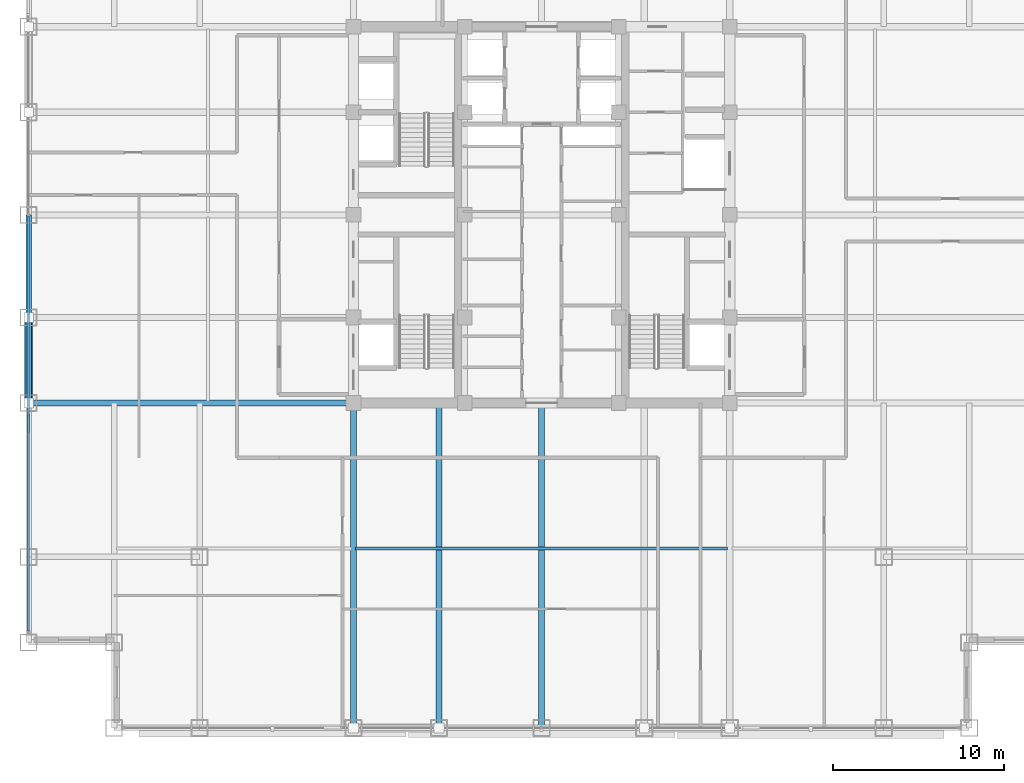
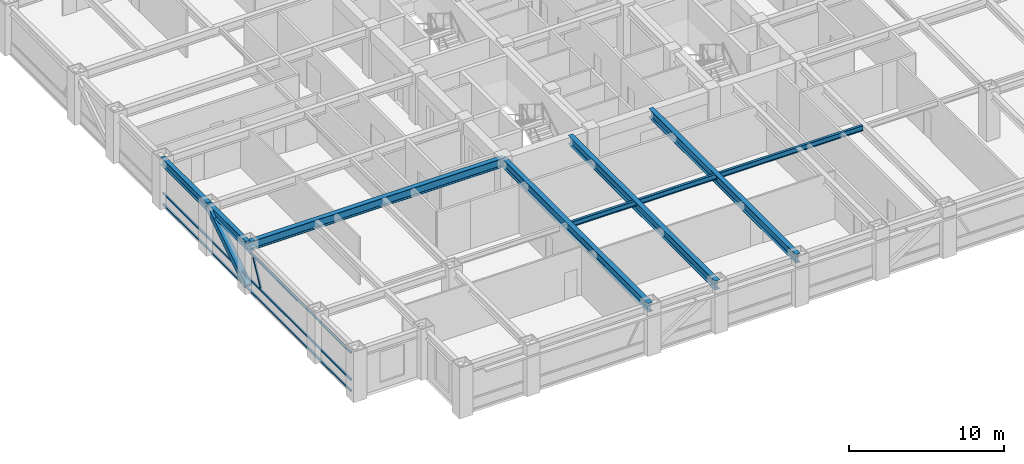
# One storey, part 5 of 29: 7 beams, 5 members, 1 element without a shape of its own.
"""IFC4 building model written with IfcOpenShell, lengths in metres."""

from ifc_helpers import new_model, si_unit, direction, frame, origin, origin_2d, place, context, subcontext, project, spatial, hollow_rectangle, i_section, extrude, source, transform, mapped, material, material_profile, profile_set, type_object, element, aggregate, save


model = new_model("IFC4")

# Units and contexts
model_context = context("Model", 3, precision=1e-05, world=origin(), true_north=direction((0.0, 1.0)))
body_context = subcontext(model_context, "Body", "Model", "MODEL_VIEW")
ifc_project = project(units=[si_unit("LENGTHUNIT", "METRE"), si_unit("AREAUNIT", "SQUARE_METRE"), si_unit("VOLUMEUNIT", "CUBIC_METRE"), si_unit("PLANEANGLEUNIT", "RADIAN"), si_unit("MASSUNIT", "GRAM", prefix="KILO")], contexts=[model_context])

# Site, building, storey
site_placement = place(None, origin())
site = spatial("IfcSite", under=ifc_project, at=site_placement, CompositionType="ELEMENT")
building_placement = place(site_placement, origin())
building = spatial("IfcBuilding", under=site, at=building_placement, Name="Khorayat Bourse Tower", CompositionType="ELEMENT")
storey_placement = place(building_placement, frame((0.0, 0.0, 243.10009765625)))
storey = spatial("IfcBuildingStorey", under=building, at=storey_placement, Name="L57", CompositionType="ELEMENT", Elevation=243.10009765625)

# Beams
ifc_material_1 = material(Name="Steel ASTM A992 Grade 50", Category="steel")
ifc_material_profile_1 = material_profile(ifc_material_1, i_section(OverallWidth=0.180908203125, OverallDepth=0.4169921875, WebThickness=0.010986328125, FlangeThickness=0.018310546875, FilletRadius=0.011962890625, at=origin_2d()), Name="W410X85")
ifc_profile_set_1 = profile_set([ifc_material_profile_1], Name="Steel ASTM A992 Grade 50")
beam_type_1 = type_object("IfcBeamType", Name="BM-JOIST-410", PredefinedType="JOIST", material=ifc_profile_set_1)
shared_shape_1 = source(origin(), body_context, "Body", "SweptSolid", [
    extrude(i_section(OverallWidth=0.180908203125, OverallDepth=0.4169921875, WebThickness=0.010986328125, FlangeThickness=0.018310546875, FilletRadius=0.011962890625, at=origin_2d()), origin(), (0.0, 0.0, 1.0), 21.740234375),
])
beam_1_placement = place(storey_placement, frame((-10.8701171875, -19.5, 3.5712890625), z_axis=(1.0, 0.0, 0.0), x_axis=(0.0, 1.0, 0.0)))
element("IfcBeam", 1, at=beam_1_placement, inside=storey, type_object=beam_type_1, Name="L57 BM-JOIST-410 BM-L57-JSTX-097", PredefinedType="JOIST", context=body_context, shape_type="MappedRepresentation", body=[
    mapped(shared_shape_1, transform((0.0, 0.0, 0.0), scale=1.0)),
])
ifc_material_profile_2 = material_profile(ifc_material_1, i_section(OverallWidth=0.324951171875, OverallDepth=0.615966796875, WebThickness=0.013916015625, FlangeThickness=0.021484375, FilletRadius=0.01611328125, at=origin_2d()), Name="W610X174")
ifc_profile_set_2 = profile_set([ifc_material_profile_2], Name="Steel ASTM A992 Grade 50")
beam_type_2 = type_object("IfcBeamType", Name="BM-SPAN-610", PredefinedType="SPANDREL", material=ifc_profile_set_2)
shared_shape_2 = source(origin(), body_context, "Body", "SweptSolid", [
    extrude(i_section(OverallWidth=0.324951171875, OverallDepth=0.615966796875, WebThickness=0.013916015625, FlangeThickness=0.021484375, FilletRadius=0.01611328125, at=origin_2d()), origin(), (0.0, 0.0, 1.0), 5.0),
])
beam_2_placement = place(storey_placement, frame((-30.0, -11.0, 3.471923828125), z_axis=(0.0, 1.0, 0.0), x_axis=(-1.0, 0.0, 0.0)))
element("IfcBeam", 2, at=beam_2_placement, inside=storey, type_object=beam_type_2, Name="L57 BM-SPAN-610 BM-L57-SPN-059", PredefinedType="SPANDREL", context=body_context, shape_type="MappedRepresentation", body=[
    mapped(shared_shape_2, transform((0.0, 0.0, 0.0), scale=1.0)),
])
shared_shape_3 = source(origin(), body_context, "Body", "SweptSolid", [
    extrude(i_section(OverallWidth=0.324951171875, OverallDepth=0.615966796875, WebThickness=0.013916015625, FlangeThickness=0.021484375, FilletRadius=0.01611328125, at=origin_2d()), origin(), (0.0, 0.0, 1.0), 6.0),
])
beam_3_placement = place(storey_placement, frame((-30.0, -6.0, 3.471923828125), z_axis=(0.0, 1.0, 0.0), x_axis=(-1.0, 0.0, 0.0)))
element("IfcBeam", 3, at=beam_3_placement, inside=storey, type_object=beam_type_2, Name="L57 BM-SPAN-610 BM-L57-SPN-058", PredefinedType="SPANDREL", context=body_context, shape_type="MappedRepresentation", body=[
    mapped(shared_shape_3, transform((0.0, 0.0, 0.0), scale=1.0)),
])
ifc_material_profile_3 = material_profile(ifc_material_1, i_section(OverallWidth=0.35498046875, OverallDepth=0.695068359375, WebThickness=0.015380859375, FlangeThickness=0.02490234375, FilletRadius=0.01806640625, at=origin_2d()), Name="W690X217")
ifc_profile_set_3 = profile_set([ifc_material_profile_3], Name="Steel ASTM A992 Grade 50")
beam_type_3 = type_object("IfcBeamType", Name="BM-GIRD-690", PredefinedType="BEAM", material=ifc_profile_set_3)
shared_shape_4 = source(origin(), body_context, "Body", "SweptSolid", [
    extrude(i_section(OverallWidth=0.35498046875, OverallDepth=0.695068359375, WebThickness=0.015380859375, FlangeThickness=0.02490234375, FilletRadius=0.01806640625, at=origin_2d()), origin(), (0.0, 0.0, 1.0), 19.0),
])
for number, where, z_axis, x_axis, name in (
    (4, (-11.0, -30.0, 3.432373046875), (0.0, 1.0, 0.0), (-1.0, 0.0, 0.0), "L57 BM-GIRD-690 BM-L57-RADY-065"),
    (5, (-6.0, -30.0, 3.432373046875), (0.0, 1.0, 0.0), (-1.0, 0.0, 0.0), "L57 BM-GIRD-690 BM-L57-RADY-067"),
    (6, (0.0, -30.0, 3.432373046875), (0.0, 1.0, 0.0), (-1.0, 0.0, 0.0), "L57 BM-GIRD-690 BM-L57-RADY-069"),
    (7, (-30.0, -11.0, 3.432373046875), (1.0, 0.0, 0.0), (0.0, 1.0, 0.0), "L57 BM-GIRD-690 BM-L57-RADX-075"),
):
    element("IfcBeam", number, at=place(storey_placement, frame(where, z_axis=z_axis, x_axis=x_axis)), inside=storey, type_object=beam_type_3, Name=name, PredefinedType="BEAM", context=body_context, shape_type="MappedRepresentation", body=[
        mapped(shared_shape_4, transform((0.0, 0.0, 0.0), scale=1.0)),
    ])

# Member
ifc_material_2 = material(Name="Steel EN 10025-4 S460M", Category="steel")
ifc_material_profile_4 = material_profile(ifc_material_2, hollow_rectangle(XDim=0.449951171875, YDim=0.449951171875, WallThickness=0.02490234375, at=origin_2d()), Name="HSS 450x450x25")
ifc_profile_set_4 = profile_set([ifc_material_profile_4], Name="Steel EN 10025-4 S460M")
member_type_1 = type_object("IfcMemberType", Name="MBR-TUBE-450", PredefinedType="BRACE", material=ifc_profile_set_4)
shared_shape_5 = source(origin(), body_context, "Body", "SweptSolid", [
    extrude(hollow_rectangle(XDim=0.449951171875, YDim=0.449951171875, WallThickness=0.02490234375, at=origin_2d()), origin(), (0.0, 0.0, 1.0), 5.979736328125),
])
member_1_placement = place(storey_placement, frame((-30.0, -11.0, 0.25), z_axis=(0.0, 0.836160261256, 0.548485202623), x_axis=(-1.0, 0.0, 0.0)))
element("IfcMember", 8, at=member_1_placement, inside=storey, type_object=member_type_1, Name="L57 Perimeter Tube Brace 05", PredefinedType="BRACE", context=body_context, shape_type="MappedRepresentation", body=[
    mapped(shared_shape_5, transform((0.0, 0.0, 0.0), scale=1.0)),
])

# Curtain wall, members
ifc_material_3 = material(Name="Aluminium EN AW-6063 T6", Category="aluminium")
curtain_wall_type = type_object("IfcCurtainWallType", Name="CW-SYS-03", PredefinedType="NOTDEFINED", material=ifc_material_3)
curtain_wall_placement = place(storey_placement, origin())
curtain_wall = element("IfcCurtainWall", 9, at=curtain_wall_placement, inside=storey, type_object=curtain_wall_type, Name="L57 Curtain Wall CW-L57-W1", PredefinedType="NOTDEFINED")
ifc_material_profile_5 = material_profile(ifc_material_3, hollow_rectangle(XDim=0.1201171875, YDim=0.1201171875, WallThickness=0.0048828125, at=origin_2d()), Name="ALU 120x120x5")
ifc_profile_set_5 = profile_set([ifc_material_profile_5], Name="Aluminium EN AW-6063 T6")
member_type_2 = type_object("IfcMemberType", Name="CWM-DIAG-120", PredefinedType="MULLION", material=ifc_profile_set_5)
shared_shape_6 = source(origin(), body_context, "Body", "SweptSolid", [
    extrude(hollow_rectangle(XDim=0.1201171875, YDim=0.1201171875, WallThickness=0.0048828125, at=origin_2d()), origin(), (0.0, 0.0, 1.0), 2.079345703125),
])
member_2_placement = place(storey_placement, frame((-30.0, -12.67919921875, 1.08984375), z_axis=(0.0, 0.465760949701, 0.884910581773), x_axis=(-1.0, 0.0, 0.0)))
member_2 = element("IfcMember", 10, at=member_2_placement, type_object=member_type_2, Name="CW-L57-W1 Faceted Diagonal Mullion 1", PredefinedType="MULLION", context=body_context, shape_type="MappedRepresentation", body=[
    mapped(shared_shape_6, transform((0.0, 0.0, 0.0), scale=1.0)),
])
ifc_material_profile_6 = material_profile(ifc_material_3, hollow_rectangle(XDim=0.1201171875, YDim=0.1201171875, WallThickness=0.0048828125, at=origin_2d()), Name="ALU 120x120x5")
ifc_profile_set_6 = profile_set([ifc_material_profile_6], Name="Aluminium EN AW-6063 T6")
member_type_3 = type_object("IfcMemberType", Name="CWT-HORZ-120", PredefinedType="USERDEFINED", material=ifc_profile_set_6)
shared_shape_7 = source(origin(), body_context, "Body", "SweptSolid", [
    extrude(hollow_rectangle(XDim=0.1201171875, YDim=0.1201171875, WallThickness=0.0048828125, at=origin_2d()), origin(), (0.0, 0.0, 1.0), 24.27001953125),
])
member_3_placement = place(storey_placement, frame((-30.0, -24.330078125, 0.059814453125), z_axis=(0.0, 1.0, 0.0), x_axis=(-1.0, 0.0, 0.0)))
member_3 = element("IfcMember", 11, at=member_3_placement, type_object=member_type_3, Name="CW-L57-W1 Horizontal Transom 1-1", ObjectType="TRANSOM", PredefinedType="USERDEFINED", context=body_context, shape_type="MappedRepresentation", body=[
    mapped(shared_shape_7, transform((0.0, 0.0, 0.0), scale=1.0)),
])
member_4_placement = place(storey_placement, frame((-30.0, -24.330078125, 0.949951171875), z_axis=(0.0, 1.0, 0.0), x_axis=(-1.0, 0.0, 0.0)))
member_4 = element("IfcMember", 12, at=member_4_placement, type_object=member_type_3, Name="CW-L57-W1 Horizontal Transom 1-2", ObjectType="TRANSOM", PredefinedType="USERDEFINED", context=body_context, shape_type="MappedRepresentation", body=[
    mapped(shared_shape_7, transform((0.0, 0.0, 0.0), scale=1.0)),
])
member_5_placement = place(storey_placement, frame((-30.0, -24.330078125, 3.06982421875), z_axis=(0.0, 1.0, 0.0), x_axis=(-1.0, 0.0, 0.0)))
member_5 = element("IfcMember", 13, at=member_5_placement, type_object=member_type_3, Name="CW-L57-W1 Horizontal Transom 1-3", ObjectType="TRANSOM", PredefinedType="USERDEFINED", context=body_context, shape_type="MappedRepresentation", body=[
    mapped(shared_shape_7, transform((0.0, 0.0, 0.0), scale=1.0)),
])
aggregate(curtain_wall, [member_3, member_4, member_5, member_2])

save(model, "model.ifc")
